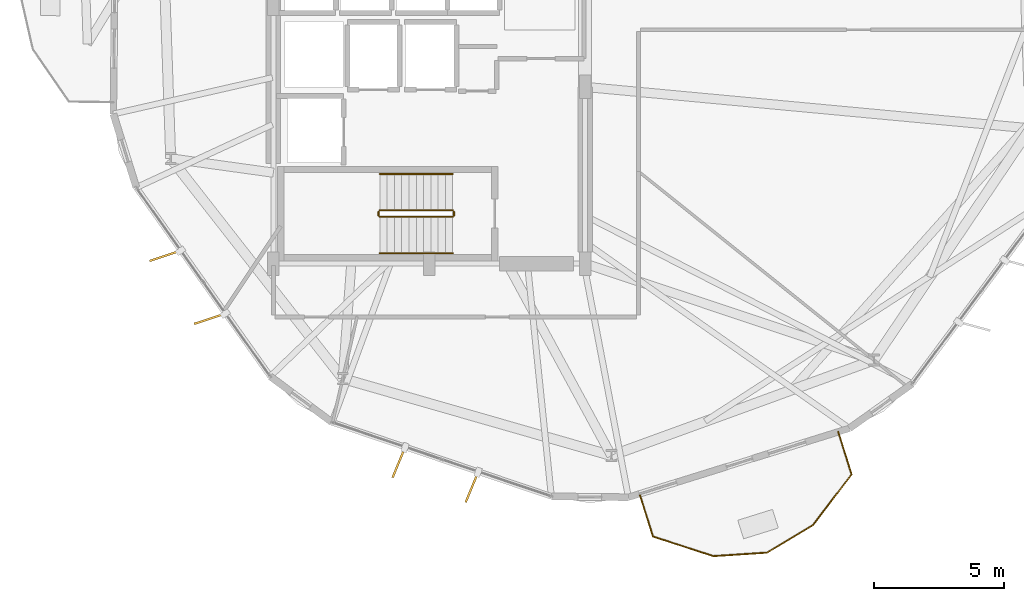
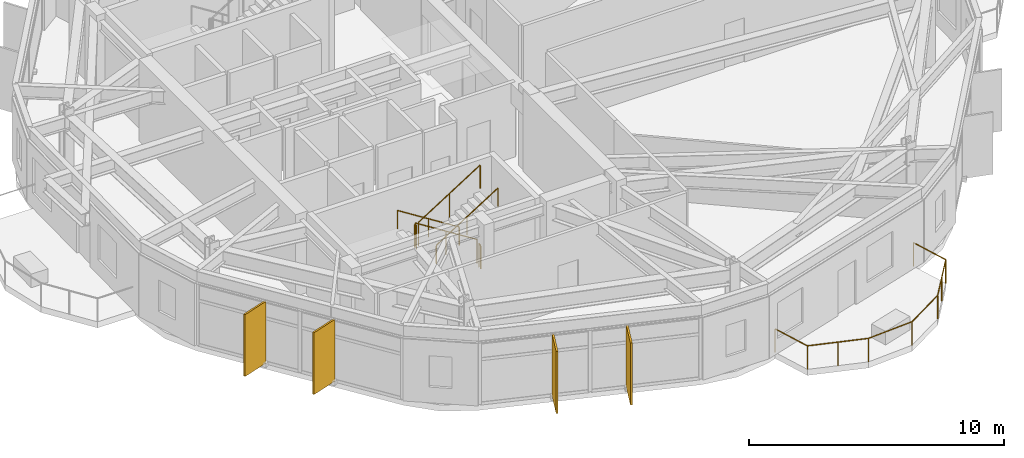
# One storey, part 25 of 27: 7 railings, 4 shading devices.
"""IFC4 building model written with IfcOpenShell, lengths in metres."""

from ifc_helpers import new_model, si_unit, direction, frame, origin, origin_2d, place, context, subcontext, project, spatial, rectangle, circle, extrude, material, layer, layer_set, type_object, element, save


model = new_model("IFC4")

# Units and contexts
model_context = context("Model", 3, precision=1e-05, world=origin(), true_north=direction((0.0, 1.0)))
body_context = subcontext(model_context, "Body", "Model", "MODEL_VIEW")
ifc_project = project(units=[si_unit("LENGTHUNIT", "METRE"), si_unit("AREAUNIT", "SQUARE_METRE"), si_unit("VOLUMEUNIT", "CUBIC_METRE"), si_unit("PLANEANGLEUNIT", "RADIAN"), si_unit("MASSUNIT", "GRAM", prefix="KILO")], contexts=[model_context])

# Site, building, storey
site_placement = place(None, origin())
site = spatial("IfcSite", under=ifc_project, at=site_placement, CompositionType="ELEMENT")
building_placement = place(site_placement, origin())
building = spatial("IfcBuilding", under=site, at=building_placement, Name="Soratama Intermodal Tower", CompositionType="ELEMENT")
storey_placement = place(building_placement, frame((0.0, 0.0, 95.199951171875)))
storey = spatial("IfcBuildingStorey", under=building, at=storey_placement, Name="L22", CompositionType="ELEMENT", Elevation=95.199951171875)

# Railings
ifc_material_1 = material(Name="Laminated glass and stainless steel balustrade", Category="steel")
railing_type_1 = type_object("IfcRailingType", Name="RL-BAL-1150", PredefinedType="BALUSTRADE", material=ifc_material_1)
railing_1_placement = place(storey_placement, frame((54.338623046875, 8.52587890625, 0.0)))
element("IfcRailing", 1, at=railing_1_placement, inside=storey, type_object=railing_type_1, Name="L22 Balcony Balustrade 4", PredefinedType="BALUSTRADE", context=body_context, shape_type="SweptSolid", body=[
    extrude(circle(Radius=0.02392578125, at=origin_2d()), frame((0.0, 0.0, 1.1259765625), z_axis=(0.298072937351, -0.954543096994, 0.0), x_axis=(0.954543096994, 0.298072937351, 0.0)), (0.0, 0.0, 1.0), 1.719970703125),
    extrude(circle(Radius=0.02392578125, at=origin_2d()), frame((0.5126953125, -1.641845703125, 1.1259765625), z_axis=(-0.60746119472, -0.794349354446, 0.0), x_axis=(0.794349354446, -0.60746119472, 0.0)), (0.0, 0.0, 1.0), 2.451904296875),
    extrude(circle(Radius=0.02392578125, at=origin_2d()), frame((-0.976806640625, -3.589599609375, 1.1259765625), z_axis=(-0.857628848061, -0.514269150323, 0.0), x_axis=(0.514269150323, -0.857628848061, 0.0)), (0.0, 0.0, 1.0), 2.059814453125),
    extrude(circle(Radius=0.02392578125, at=origin_2d()), frame((-2.743408203125, -4.64892578125, 1.1259765625), z_axis=(-0.997880607934, -0.065071440047, 0.0), x_axis=(0.065071440047, -0.997880607934, 0.0)), (0.0, 0.0, 1.0), 2.059814453125),
    extrude(circle(Radius=0.02392578125, at=origin_2d()), frame((-4.798828125, -4.782958984375, 1.1259765625), z_axis=(-0.951521683223, 0.307581674286, 0.0), x_axis=(-0.307581674286, -0.951521683223, 0.0)), (0.0, 0.0, 1.0), 2.451904296875),
    extrude(circle(Radius=0.02392578125, at=origin_2d()), frame((-7.1318359375, -4.02880859375, 1.1259765625), z_axis=(-0.298072937351, 0.954543096994, 0.0), x_axis=(-0.954543096994, -0.298072937351, 0.0)), (0.0, 0.0, 1.0), 1.719970703125),
    extrude(circle(Radius=0.02099609375, at=origin_2d()), origin(), (0.0, 0.0, 1.0), 1.101806640625),
    extrude(circle(Radius=0.02099609375, at=origin_2d()), frame((0.5126953125, -1.641845703125, 0.0)), (0.0, 0.0, 1.0), 1.101806640625),
    extrude(circle(Radius=0.02099609375, at=origin_2d()), frame((-0.23193359375, -2.61572265625, 0.0)), (0.0, 0.0, 1.0), 1.101806640625),
    extrude(circle(Radius=0.02099609375, at=origin_2d()), frame((-0.976806640625, -3.589599609375, 0.0)), (0.0, 0.0, 1.0), 1.101806640625),
    extrude(circle(Radius=0.02099609375, at=origin_2d()), frame((-2.743408203125, -4.64892578125, 0.0)), (0.0, 0.0, 1.0), 1.101806640625),
    extrude(circle(Radius=0.02099609375, at=origin_2d()), frame((-4.798828125, -4.782958984375, 0.0)), (0.0, 0.0, 1.0), 1.101806640625),
    extrude(circle(Radius=0.02099609375, at=origin_2d()), frame((-5.96533203125, -4.40576171875, 0.0)), (0.0, 0.0, 1.0), 1.101806640625),
    extrude(circle(Radius=0.02099609375, at=origin_2d()), frame((-7.1318359375, -4.02880859375, 0.0)), (0.0, 0.0, 1.0), 1.101806640625),
    extrude(circle(Radius=0.02099609375, at=origin_2d()), frame((-7.64453125, -2.386962890625, 0.0)), (0.0, 0.0, 1.0), 1.101806640625),
])
ifc_material_2 = material(Name="Painted steel stair guardrail", Category="steel")
railing_type_2 = type_object("IfcRailingType", Name="RL-STAIR-GUARD", PredefinedType="GUARDRAIL", material=ifc_material_2)
railing_2_placement = place(storey_placement, frame((39.5, 17.050048828125, 0.17724609375)))
element("IfcRailing", 2, at=railing_2_placement, inside=storey, type_object=railing_type_2, Name="L22 ST-1 stair guard 1", PredefinedType="GUARDRAIL", context=body_context, shape_type="SweptSolid", body=[
    extrude(circle(Radius=0.02392578125, at=origin_2d()), frame((0.0, 0.0, 1.1259765625), z_axis=(-0.844908973607, 0.0, 0.534910110503), x_axis=(0.0, -1.0, 0.0)), (0.0, 0.0, 1.0), 3.31396484375),
    extrude(circle(Radius=0.02099609375, at=origin_2d()), origin(), (0.0, 0.0, 1.0), 1.101806640625),
    extrude(circle(Radius=0.02099609375, at=origin_2d()), frame((-1.39990234375, 0.0, 0.88623046875)), (0.0, 0.0, 1.0), 1.101806640625),
    extrude(circle(Radius=0.02099609375, at=origin_2d()), frame((-2.800048828125, 0.0, 1.772705078125)), (0.0, 0.0, 1.0), 1.101806640625),
])
railing_3_placement = place(storey_placement, frame((36.64990234375, 17.0, 1.949951171875)))
element("IfcRailing", 3, at=railing_3_placement, inside=storey, type_object=railing_type_2, Name="L22 ST-1 stair guard 2", PredefinedType="GUARDRAIL", context=body_context, shape_type="SweptSolid", body=[
    extrude(circle(Radius=0.02392578125, at=origin_2d()), frame((0.0, 0.0, 1.1259765625), z_axis=(0.0, -1.0, 0.0), x_axis=(1.0, 0.0, 0.0)), (0.0, 0.0, 1.0), 0.14990234375),
    extrude(circle(Radius=0.02099609375, at=origin_2d()), origin(), (0.0, 0.0, 1.0), 1.101806640625),
    extrude(circle(Radius=0.02099609375, at=origin_2d()), frame((0.0, -0.14990234375, 0.0)), (0.0, 0.0, 1.0), 1.101806640625),
])
railing_4_placement = place(storey_placement, frame((36.699951171875, 16.800048828125, 2.12744140625)))
element("IfcRailing", 4, at=railing_4_placement, inside=storey, type_object=railing_type_2, Name="L22 ST-1 stair guard 3", PredefinedType="GUARDRAIL", context=body_context, shape_type="SweptSolid", body=[
    extrude(circle(Radius=0.02392578125, at=origin_2d()), frame((0.0, 0.0, 1.1259765625), z_axis=(0.844908973607, 0.0, 0.534910110503), x_axis=(0.0, 1.0, 0.0)), (0.0, 0.0, 1.0), 3.31396484375),
    extrude(circle(Radius=0.02099609375, at=origin_2d()), origin(), (0.0, 0.0, 1.0), 1.101806640625),
    extrude(circle(Radius=0.02099609375, at=origin_2d()), frame((1.39990234375, 0.0, 0.88623046875)), (0.0, 0.0, 1.0), 1.101806640625),
    extrude(circle(Radius=0.02099609375, at=origin_2d()), frame((2.800048828125, 0.0, 1.772705078125)), (0.0, 0.0, 1.0), 1.101806640625),
])
railing_5_placement = place(storey_placement, frame((39.550048828125, 17.0, 0.0)))
element("IfcRailing", 5, at=railing_5_placement, inside=storey, type_object=railing_type_2, Name="L22 ST-1 stair guard 4", PredefinedType="GUARDRAIL", context=body_context, shape_type="SweptSolid", body=[
    extrude(circle(Radius=0.02392578125, at=origin_2d()), frame((0.0, 0.0, 1.1259765625), z_axis=(0.0, -1.0, 0.0), x_axis=(1.0, 0.0, 0.0)), (0.0, 0.0, 1.0), 0.14990234375),
    extrude(circle(Radius=0.02099609375, at=origin_2d()), origin(), (0.0, 0.0, 1.0), 1.101806640625),
    extrude(circle(Radius=0.02099609375, at=origin_2d()), frame((0.0, -0.14990234375, 0.0)), (0.0, 0.0, 1.0), 1.101806640625),
])
ifc_material_3 = material(Name="Brushed stainless steel handrail", Category="steel")
railing_type_3 = type_object("IfcRailingType", Name="RL-STAIR-HAND", PredefinedType="HANDRAIL", material=ifc_material_3)
railing_6_placement = place(storey_placement, frame((39.5, 18.449951171875, 0.17724609375)))
element("IfcRailing", 6, at=railing_6_placement, inside=storey, type_object=railing_type_3, Name="L22 ST-1 stair handrail 1", PredefinedType="HANDRAIL", context=body_context, shape_type="SweptSolid", body=[
    extrude(circle(Radius=0.02392578125, at=origin_2d()), frame((0.0, 0.0, 0.8759765625), z_axis=(-0.844908973607, 0.0, 0.534910110503), x_axis=(0.0, -1.0, 0.0)), (0.0, 0.0, 1.0), 3.31396484375),
    extrude(circle(Radius=0.02099609375, at=origin_2d()), origin(), (0.0, 0.0, 1.0), 0.851806640625),
    extrude(circle(Radius=0.02099609375, at=origin_2d()), frame((-1.39990234375, 0.0, 0.88623046875)), (0.0, 0.0, 1.0), 0.851806640625),
    extrude(circle(Radius=0.02099609375, at=origin_2d()), frame((-2.800048828125, 0.0, 1.772705078125)), (0.0, 0.0, 1.0), 0.851806640625),
])
railing_7_placement = place(storey_placement, frame((36.699951171875, 15.39990234375, 2.12744140625)))
element("IfcRailing", 7, at=railing_7_placement, inside=storey, type_object=railing_type_3, Name="L22 ST-1 stair handrail 2", PredefinedType="HANDRAIL", context=body_context, shape_type="SweptSolid", body=[
    extrude(circle(Radius=0.02392578125, at=origin_2d()), frame((0.0, 0.0, 0.8759765625), z_axis=(0.844908973607, 0.0, 0.534910110503), x_axis=(0.0, 1.0, 0.0)), (0.0, 0.0, 1.0), 3.31396484375),
    extrude(circle(Radius=0.02099609375, at=origin_2d()), origin(), (0.0, 0.0, 1.0), 0.851806640625),
    extrude(circle(Radius=0.02099609375, at=origin_2d()), frame((1.39990234375, 0.0, 0.88623046875)), (0.0, 0.0, 1.0), 0.851806640625),
    extrude(circle(Radius=0.02099609375, at=origin_2d()), frame((2.800048828125, 0.0, 1.772705078125)), (0.0, 0.0, 1.0), 0.851806640625),
])

# Shading devices
ifc_material_4 = material(Name="Champagne anodised aluminium solar fin", Category="aluminium")
ifc_layer = layer(ifc_material_4, 0.080078125)
ifc_layer_set = layer_set([ifc_layer], Name="Champagne anodised aluminium solar fin")
shading_device_type = type_object("IfcShadingDeviceType", Name="SH-FIN-1250", PredefinedType="USERDEFINED", material=ifc_layer_set)
for number, where, z_axis, x_axis, name in (
    (8, (28.430908203125, 15.302001953125, 0.02001953125), (0.0, 0.0, 1.0), (-0.949041155016, -0.315152163383, 0.0), "L22 Solar Fin F06-1"),
    (9, (30.1484375, 12.879638671875, 0.02001953125), (0.0, 0.0, 1.0), (-0.949041155016, -0.315152163383, 0.0), "L22 Solar Fin F06-2"),
    (10, (37.425537109375, 7.343017578125, 0.02001953125), (0.0, 0.0, 1.0), (-0.381231734269, -0.924479510204, 0.0), "L22 Solar Fin F07-1"),
    (11, (40.239013671875, 6.392822265625, 0.02001953125), (0.0, 0.0, 1.0), (-0.381231734269, -0.924479510204, 0.0), "L22 Solar Fin F07-2"),
):
    element("IfcShadingDevice", number, at=place(storey_placement, frame(where, z_axis=z_axis, x_axis=x_axis)), inside=storey, type_object=shading_device_type, Name=name, ObjectType="FIN", PredefinedType="USERDEFINED", context=body_context, shape_type="SweptSolid", body=[
        extrude(rectangle(XDim=1.25, YDim=0.080078125, at=origin_2d()), origin(), (0.0, 0.0, 1.0), 2.958984375),
    ])

save(model, "model.ifc")
